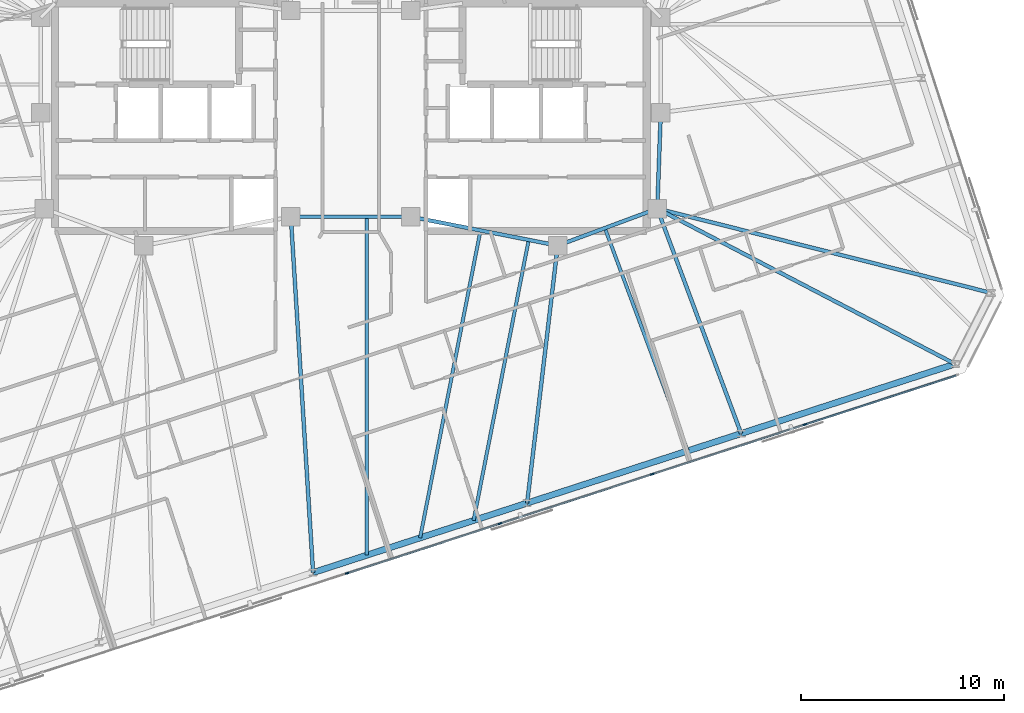
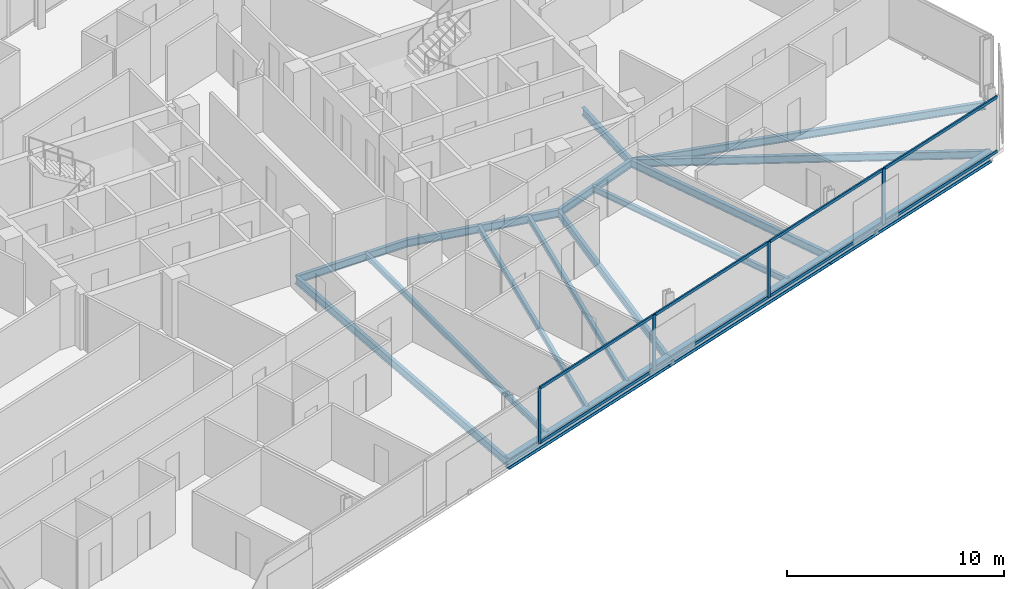
# One storey, part 7 of 19: 16 beams, 12 members, 1 element without a shape of its own.
"""IFC4 building model written with IfcOpenShell, lengths in metres."""

from ifc_helpers import new_model, si_unit, direction, frame, origin, origin_2d, place, context, subcontext, project, spatial, rectangle, i_section, extrude, material, material_profile, profile_set, type_object, element, aggregate, save


model = new_model("IFC4")

# Units and contexts
model_context = context("Model", 3, precision=1e-05, world=origin(), true_north=direction((0.0, 1.0)))
body_context = subcontext(model_context, "Body", "Model", "MODEL_VIEW")
ifc_project = project(units=[si_unit("LENGTHUNIT", "METRE"), si_unit("AREAUNIT", "SQUARE_METRE"), si_unit("VOLUMEUNIT", "CUBIC_METRE"), si_unit("PLANEANGLEUNIT", "RADIAN"), si_unit("MASSUNIT", "GRAM", prefix="KILO")], contexts=[model_context])

# Site, building, storey
site_placement = place(None, origin())
site = spatial("IfcSite", under=ifc_project, at=site_placement, CompositionType="ELEMENT")
building_placement = place(site_placement, origin())
building = spatial("IfcBuilding", under=site, at=building_placement, Name="Menara Jurai Vektor", CompositionType="ELEMENT")
storey_placement = place(building_placement, frame((0.0, 0.0, 220.949951171875)))
storey = spatial("IfcBuildingStorey", under=building, at=storey_placement, Name="L58", CompositionType="ELEMENT", Elevation=220.949951171875)

# Curtain wall, members
ifc_material_1 = material(Name="Anodised Pale Aluminium & Low-E Double Glazing", Category="aluminium")
curtain_wall_type = type_object("IfcCurtainWallType", Name="CW-BLK4", PredefinedType="NOTDEFINED", material=ifc_material_1)
curtain_wall_placement = place(storey_placement, origin())
curtain_wall = element("IfcCurtainWall", 1, at=curtain_wall_placement, inside=storey, type_object=curtain_wall_type, Name="Unitised Curtain Wall L58 F01", PredefinedType="NOTDEFINED")
ifc_material_2 = material(Name="Anodised Pale Aluminium Mullion", Category="aluminium")
ifc_material_profile_1 = material_profile(ifc_material_2, rectangle(XDim=0.080078125, YDim=0.18994140625, at=origin_2d()), Name="ALU MUL 80x190")
ifc_profile_set_1 = profile_set([ifc_material_profile_1], Name="Anodised Pale Aluminium Mullion")
member_type_1 = type_object("IfcMemberType", Name="CW-BLK4-MUL", PredefinedType="MULLION", material=ifc_profile_set_1)
member_1_placement = place(storey_placement, frame((-0.17236328125, -22.4404296875, 0.0), z_axis=(0.0, 0.0, 1.0), x_axis=(-0.309017344167, 0.951056402641, 0.0)))
member_1 = element("IfcMember", 2, at=member_1_placement, type_object=member_type_1, Name="CW-04 mullion 4", PredefinedType="MULLION", context=body_context, shape_type="SweptSolid", body=[
    extrude(rectangle(XDim=0.080078125, YDim=0.18994140625, at=origin_2d()), origin(), (0.0, 0.0, 1.0), 3.125),
])
member_2_placement = place(storey_placement, frame((7.3330078125, -20.001953125, 0.0), z_axis=(0.0, 0.0, 1.0), x_axis=(-0.309017344167, 0.951056402641, 0.0)))
member_2 = element("IfcMember", 3, at=member_2_placement, type_object=member_type_1, Name="CW-04 mullion 5", PredefinedType="MULLION", context=body_context, shape_type="SweptSolid", body=[
    extrude(rectangle(XDim=0.080078125, YDim=0.18994140625, at=origin_2d()), origin(), (0.0, 0.0, 1.0), 3.125),
])
member_3_placement = place(storey_placement, frame((14.838134765625, -17.563232421875, 0.0), z_axis=(0.0, 0.0, 1.0), x_axis=(-0.309017344167, 0.951056402641, 0.0)))
member_3 = element("IfcMember", 4, at=member_3_placement, type_object=member_type_1, Name="CW-04 mullion 6", PredefinedType="MULLION", context=body_context, shape_type="SweptSolid", body=[
    extrude(rectangle(XDim=0.080078125, YDim=0.18994140625, at=origin_2d()), origin(), (0.0, 0.0, 1.0), 3.125),
])
member_4_placement = place(storey_placement, frame((22.34326171875, -15.124755859375, 0.0), z_axis=(0.0, 0.0, 1.0), x_axis=(-0.309017344167, 0.951056402641, 0.0)))
member_4 = element("IfcMember", 5, at=member_4_placement, type_object=member_type_1, Name="CW-04 mullion 7", PredefinedType="MULLION", context=body_context, shape_type="SweptSolid", body=[
    extrude(rectangle(XDim=0.080078125, YDim=0.18994140625, at=origin_2d()), origin(), (0.0, 0.0, 1.0), 3.125),
])
ifc_material_3 = material(Name="Anodised Pale Aluminium Transom", Category="aluminium")
ifc_material_profile_2 = material_profile(ifc_material_3, rectangle(XDim=0.080078125, YDim=0.1650390625, at=origin_2d()), Name="ALU TRN 80x165")
ifc_profile_set_2 = profile_set([ifc_material_profile_2], Name="Anodised Pale Aluminium Transom")
member_type_2 = type_object("IfcMemberType", Name="CW-BLK4-TRN", PredefinedType="USERDEFINED", material=ifc_profile_set_2)
member_5_placement = place(storey_placement, frame((-0.13427734375, -22.427978515625, 0.0400390625), z_axis=(0.951059330237, 0.309008333817, 0.0), x_axis=(-0.309008333817, 0.951059330237, 0.0)))
member_5 = element("IfcMember", 6, at=member_5_placement, type_object=member_type_2, Name="CW-04 transom 4.1", ObjectType="TRANSOM", PredefinedType="USERDEFINED", context=body_context, shape_type="SweptSolid", body=[
    extrude(rectangle(XDim=0.080078125, YDim=0.1650390625, at=origin_2d()), origin(), (0.0, 0.0, 1.0), 7.8115234375),
])
member_6_placement = place(storey_placement, frame((-0.13427734375, -22.427978515625, 3.0849609375), z_axis=(0.951059330237, 0.309008333817, 0.0), x_axis=(-0.309008333817, 0.951059330237, 0.0)))
member_6 = element("IfcMember", 7, at=member_6_placement, type_object=member_type_2, Name="CW-04 transom 4.2", ObjectType="TRANSOM", PredefinedType="USERDEFINED", context=body_context, shape_type="SweptSolid", body=[
    extrude(rectangle(XDim=0.080078125, YDim=0.1650390625, at=origin_2d()), origin(), (0.0, 0.0, 1.0), 7.8115234375),
])
member_7_placement = place(storey_placement, frame((7.37109375, -19.989501953125, 0.0400390625), z_axis=(0.95105634578, 0.309017519167, 0.0), x_axis=(-0.309017519167, 0.95105634578, 0.0)))
member_7 = element("IfcMember", 8, at=member_7_placement, type_object=member_type_2, Name="CW-04 transom 5.1", ObjectType="TRANSOM", PredefinedType="USERDEFINED", context=body_context, shape_type="SweptSolid", body=[
    extrude(rectangle(XDim=0.080078125, YDim=0.1650390625, at=origin_2d()), origin(), (0.0, 0.0, 1.0), 7.811279296875),
])
member_8_placement = place(storey_placement, frame((7.37109375, -19.989501953125, 3.0849609375), z_axis=(0.95105634578, 0.309017519167, 0.0), x_axis=(-0.309017519167, 0.95105634578, 0.0)))
member_8 = element("IfcMember", 9, at=member_8_placement, type_object=member_type_2, Name="CW-04 transom 5.2", ObjectType="TRANSOM", PredefinedType="USERDEFINED", context=body_context, shape_type="SweptSolid", body=[
    extrude(rectangle(XDim=0.080078125, YDim=0.1650390625, at=origin_2d()), origin(), (0.0, 0.0, 1.0), 7.811279296875),
])
member_9_placement = place(storey_placement, frame((14.876220703125, -17.551025390625, 0.0400390625), z_axis=(0.95104715984, 0.309045789099, 0.0), x_axis=(-0.309045789099, 0.95104715984, 0.0)))
member_9 = element("IfcMember", 10, at=member_9_placement, type_object=member_type_2, Name="CW-04 transom 6.1", ObjectType="TRANSOM", PredefinedType="USERDEFINED", context=body_context, shape_type="SweptSolid", body=[
    extrude(rectangle(XDim=0.080078125, YDim=0.1650390625, at=origin_2d()), origin(), (0.0, 0.0, 1.0), 7.811279296875),
])
member_10_placement = place(storey_placement, frame((14.876220703125, -17.551025390625, 3.0849609375), z_axis=(0.95104715984, 0.309045789099, 0.0), x_axis=(-0.309045789099, 0.95104715984, 0.0)))
member_10 = element("IfcMember", 11, at=member_10_placement, type_object=member_type_2, Name="CW-04 transom 6.2", ObjectType="TRANSOM", PredefinedType="USERDEFINED", context=body_context, shape_type="SweptSolid", body=[
    extrude(rectangle(XDim=0.080078125, YDim=0.1650390625, at=origin_2d()), origin(), (0.0, 0.0, 1.0), 7.811279296875),
])
member_11_placement = place(storey_placement, frame((22.38134765625, -15.1123046875, 0.0400390625), z_axis=(0.951062230089, 0.308999408573, 0.0), x_axis=(-0.308999408573, 0.951062230089, 0.0)))
member_11 = element("IfcMember", 12, at=member_11_placement, type_object=member_type_2, Name="CW-04 transom 7.1", ObjectType="TRANSOM", PredefinedType="USERDEFINED", context=body_context, shape_type="SweptSolid", body=[
    extrude(rectangle(XDim=0.080078125, YDim=0.1650390625, at=origin_2d()), origin(), (0.0, 0.0, 1.0), 7.771484375),
])
member_12_placement = place(storey_placement, frame((22.38134765625, -15.1123046875, 3.0849609375), z_axis=(0.951062230089, 0.308999408573, 0.0), x_axis=(-0.308999408573, 0.951062230089, 0.0)))
member_12 = element("IfcMember", 13, at=member_12_placement, type_object=member_type_2, Name="CW-04 transom 7.2", ObjectType="TRANSOM", PredefinedType="USERDEFINED", context=body_context, shape_type="SweptSolid", body=[
    extrude(rectangle(XDim=0.080078125, YDim=0.1650390625, at=origin_2d()), origin(), (0.0, 0.0, 1.0), 7.771484375),
])
aggregate(curtain_wall, [member_1, member_2, member_3, member_4, member_5, member_6, member_7, member_8, member_9, member_10, member_11, member_12])

# Beams
ifc_material_4 = material(Name="Steel S355", Category="steel")
ifc_material_profile_3 = material_profile(ifc_material_4, i_section(OverallWidth=0.18505859375, OverallDepth=0.429931640625, WebThickness=0.010986328125, FlangeThickness=0.01806640625, at=origin_2d()), Name="PG 430x185x76")
ifc_profile_set_3 = profile_set([ifc_material_profile_3], Name="Steel S355")
beam_type_1 = type_object("IfcBeamType", Name="STR-BM-430", PredefinedType="BEAM", material=ifc_profile_set_3)
beam_1_placement = place(storey_placement, frame((15.080078125, -4.5, -0.43994140625), z_axis=(0.035977314146, 0.999352606874, 0.0), x_axis=(-0.999352606874, 0.035977314146, 0.0)))
element("IfcBeam", 14, at=beam_1_placement, inside=storey, type_object=beam_type_1, Name="Core Ring Header Girder L58-CHE-E2", PredefinedType="BEAM", context=body_context, shape_type="SweptSolid", body=[
    extrude(i_section(OverallWidth=0.18505859375, OverallDepth=0.429931640625, WebThickness=0.010986328125, FlangeThickness=0.01806640625, at=origin_2d()), origin(), (0.0, 0.0, 1.0), 4.72314453125),
])
beam_2_placement = place(storey_placement, frame((10.179931640625, -6.320068359375, -0.43994140625), z_axis=(0.937424400887, 0.348188874925, 0.0), x_axis=(-0.348188874925, 0.937424400887, 0.0)))
element("IfcBeam", 15, at=beam_2_placement, inside=storey, type_object=beam_type_1, Name="Core Ring Header Girder L58-CHE-S1", PredefinedType="BEAM", context=body_context, shape_type="SweptSolid", body=[
    extrude(i_section(OverallWidth=0.18505859375, OverallDepth=0.429931640625, WebThickness=0.010986328125, FlangeThickness=0.01806640625, at=origin_2d()), origin(), (0.0, 0.0, 1.0), 5.227294921875),
])
beam_3_placement = place(storey_placement, frame((2.949951171875, -4.89990234375, -0.43994140625), z_axis=(0.981249044334, -0.192744164614, 0.0), x_axis=(0.192744164614, 0.981249044334, 0.0)))
element("IfcBeam", 16, at=beam_3_placement, inside=storey, type_object=beam_type_1, Name="Core Ring Header Girder L58-CHE-S2", PredefinedType="BEAM", context=body_context, shape_type="SweptSolid", body=[
    extrude(i_section(OverallWidth=0.18505859375, OverallDepth=0.429931640625, WebThickness=0.010986328125, FlangeThickness=0.01806640625, at=origin_2d()), origin(), (0.0, 0.0, 1.0), 7.3681640625),
])
beam_4_placement = place(storey_placement, frame((-2.949951171875, -4.89990234375, -0.43994140625), z_axis=(1.0, 0.0, 0.0), x_axis=(0.0, 1.0, 0.0)))
element("IfcBeam", 17, at=beam_4_placement, inside=storey, type_object=beam_type_1, Name="Core Ring Header Girder L58-CC-1", PredefinedType="BEAM", context=body_context, shape_type="SweptSolid", body=[
    extrude(i_section(OverallWidth=0.18505859375, OverallDepth=0.429931640625, WebThickness=0.010986328125, FlangeThickness=0.01806640625, at=origin_2d()), origin(), (0.0, 0.0, 1.0), 5.89990234375),
])
beam_5_placement = place(storey_placement, frame((-1.854248046875, -22.40869140625, -0.43994140625), z_axis=(-0.062457995419, 0.998047593458, 0.0), x_axis=(-0.998047593458, -0.062457995419, 0.0)))
element("IfcBeam", 18, at=beam_5_placement, inside=storey, type_object=beam_type_1, Name="Radial Floor Girder L58-S3", PredefinedType="BEAM", context=body_context, shape_type="SweptSolid", body=[
    extrude(i_section(OverallWidth=0.18505859375, OverallDepth=0.429931640625, WebThickness=0.010986328125, FlangeThickness=0.01806640625, at=origin_2d()), origin(), (0.0, 0.0, 1.0), 17.54296875),
])
beam_6_placement = place(storey_placement, frame((8.675048828125, -18.987548828125, -0.43994140625), z_axis=(0.117969360513, 0.99301723549, 0.0), x_axis=(-0.99301723549, 0.117969360513, 0.0)))
element("IfcBeam", 19, at=beam_6_placement, inside=storey, type_object=beam_type_1, Name="Radial Floor Girder L58-S4", PredefinedType="BEAM", context=body_context, shape_type="SweptSolid", body=[
    extrude(i_section(OverallWidth=0.18505859375, OverallDepth=0.429931640625, WebThickness=0.010986328125, FlangeThickness=0.01806640625, at=origin_2d()), origin(), (0.0, 0.0, 1.0), 12.756591796875),
])
beam_7_placement = place(storey_placement, frame((19.204345703125, -15.56640625, -0.43994140625), z_axis=(-0.349219718154, 0.93704086808, 0.0), x_axis=(-0.93704086808, -0.349219718154, 0.0)))
element("IfcBeam", 20, at=beam_7_placement, inside=storey, type_object=beam_type_1, Name="Radial Floor Girder L58-S5", PredefinedType="BEAM", context=body_context, shape_type="SweptSolid", body=[
    extrude(i_section(OverallWidth=0.18505859375, OverallDepth=0.429931640625, WebThickness=0.010986328125, FlangeThickness=0.01806640625, at=origin_2d()), origin(), (0.0, 0.0, 1.0), 11.81005859375),
])
beam_8_placement = place(storey_placement, frame((29.7333984375, -12.14501953125, -0.43994140625), z_axis=(-0.886589587068, 0.462556919851, 0.0), x_axis=(-0.462556919851, -0.886589587068, 0.0)))
element("IfcBeam", 21, at=beam_8_placement, inside=storey, type_object=beam_type_1, Name="Radial Floor Girder L58-S6", PredefinedType="BEAM", context=body_context, shape_type="SweptSolid", body=[
    extrude(i_section(OverallWidth=0.18505859375, OverallDepth=0.429931640625, WebThickness=0.010986328125, FlangeThickness=0.01806640625, at=origin_2d()), origin(), (0.0, 0.0, 1.0), 16.52783203125),
])
beam_9_placement = place(storey_placement, frame((31.513427734375, -8.652099609375, -0.43994140625), z_axis=(-0.969531956771, 0.244964864418, 0.0), x_axis=(-0.244964864418, -0.969531956771, 0.0)))
element("IfcBeam", 22, at=beam_9_placement, inside=storey, type_object=beam_type_1, Name="Radial Floor Girder L58-E1", PredefinedType="BEAM", context=body_context, shape_type="SweptSolid", body=[
    extrude(i_section(OverallWidth=0.18505859375, OverallDepth=0.429931640625, WebThickness=0.010986328125, FlangeThickness=0.01806640625, at=origin_2d()), origin(), (0.0, 0.0, 1.0), 16.94970703125),
])
ifc_material_profile_4 = material_profile(ifc_material_4, i_section(OverallWidth=0.1650390625, OverallDepth=0.330078125, WebThickness=0.009033203125, FlangeThickness=0.013916015625, at=origin_2d()), Name="PG 330x165x46")
ifc_profile_set_4 = profile_set([ifc_material_profile_4], Name="Steel S355")
beam_type_2 = type_object("IfcBeamType", Name="STR-JS-330", PredefinedType="JOIST", material=ifc_profile_set_4)
beam_10_placement = place(storey_placement, frame((0.778076171875, -21.55322265625, -0.389892578125), z_axis=(0.0, 1.0, 0.0), x_axis=(-1.0, 0.0, 0.0)))
element("IfcBeam", 23, at=beam_10_placement, inside=storey, type_object=beam_type_2, Name="Radial Secondary Floor Joist L58-JS05", PredefinedType="JOIST", context=body_context, shape_type="SweptSolid", body=[
    extrude(i_section(OverallWidth=0.1650390625, OverallDepth=0.330078125, WebThickness=0.009033203125, FlangeThickness=0.013916015625, at=origin_2d()), origin(), (0.0, 0.0, 1.0), 16.6533203125),
])
beam_11_placement = place(storey_placement, frame((3.410400390625, -20.697998046875, -0.389892578125), z_axis=(0.192721610081, 0.981253474393, 0.0), x_axis=(-0.981253474393, 0.192721610081, 0.0)))
element("IfcBeam", 24, at=beam_11_placement, inside=storey, type_object=beam_type_2, Name="Radial Secondary Floor Joist L58-JS06", PredefinedType="JOIST", context=body_context, shape_type="SweptSolid", body=[
    extrude(i_section(OverallWidth=0.1650390625, OverallDepth=0.330078125, WebThickness=0.009033203125, FlangeThickness=0.013916015625, at=origin_2d()), origin(), (0.0, 0.0, 1.0), 15.413330078125),
])
beam_12_placement = place(storey_placement, frame((6.042724609375, -19.8427734375, -0.389892578125), z_axis=(0.192720535629, 0.981253685418, 0.0), x_axis=(-0.981253685418, 0.192720535629, 0.0)))
element("IfcBeam", 25, at=beam_12_placement, inside=storey, type_object=beam_type_2, Name="Radial Secondary Floor Joist L58-JS07", PredefinedType="JOIST", context=body_context, shape_type="SweptSolid", body=[
    extrude(i_section(OverallWidth=0.1650390625, OverallDepth=0.330078125, WebThickness=0.009033203125, FlangeThickness=0.013916015625, at=origin_2d()), origin(), (0.0, 0.0, 1.0), 14.066650390625),
])
beam_13_placement = place(storey_placement, frame((16.572021484375, -16.421630859375, -0.389892578125), z_axis=(-0.348179715909, 0.937427802782, 0.0), x_axis=(-0.937427802782, -0.348179715909, 0.0)))
element("IfcBeam", 26, at=beam_13_placement, inside=storey, type_object=beam_type_2, Name="Radial Secondary Floor Joist L58-JS08", PredefinedType="JOIST", context=body_context, shape_type="SweptSolid", body=[
    extrude(i_section(OverallWidth=0.1650390625, OverallDepth=0.330078125, WebThickness=0.009033203125, FlangeThickness=0.013916015625, at=origin_2d()), origin(), (0.0, 0.0, 1.0), 11.695068359375),
])
ifc_material_profile_5 = material_profile(ifc_material_4, i_section(OverallWidth=0.306884765625, OverallDepth=0.6201171875, WebThickness=0.013916015625, FlangeThickness=0.02392578125, FilletRadius=0.01708984375, at=origin_2d()), Name="UKB 610x305x179")
ifc_profile_set_5 = profile_set([ifc_material_profile_5], Name="Steel S355")
beam_type_3 = type_object("IfcBeamType", Name="STR-SP-610", PredefinedType="SPANDREL", material=ifc_profile_set_5)
for number, where, z_axis, x_axis, name in (
    (27, (-1.854248046875, -22.40869140625, -0.534912109375), (0.951057401967, 0.309014268544, 0.0), (-0.309014268544, 0.951057401967, 0.0), "Exoskeleton Spandrel Beam L58-03"),
    (28, (8.675048828125, -18.987548828125, -0.534912109375), (0.951057401967, 0.309014268544, 0.0), (-0.309014268544, 0.951057401967, 0.0), "Exoskeleton Spandrel Beam L58-04"),
    (29, (19.204345703125, -15.56640625, -0.534912109375), (0.951048814879, 0.309040695892, 0.0), (-0.309040695892, 0.951048814879, 0.0), "Exoskeleton Spandrel Beam L58-05"),
):
    element("IfcBeam", number, at=place(storey_placement, frame(where, z_axis=z_axis, x_axis=x_axis)), inside=storey, type_object=beam_type_3, Name=name, PredefinedType="SPANDREL", context=body_context, shape_type="SweptSolid", body=[
        extrude(i_section(OverallWidth=0.306884765625, OverallDepth=0.6201171875, WebThickness=0.013916015625, FlangeThickness=0.02392578125, FilletRadius=0.01708984375, at=origin_2d()), origin(), (0.0, 0.0, 1.0), 11.071044921875),
    ])

save(model, "model.ifc")
